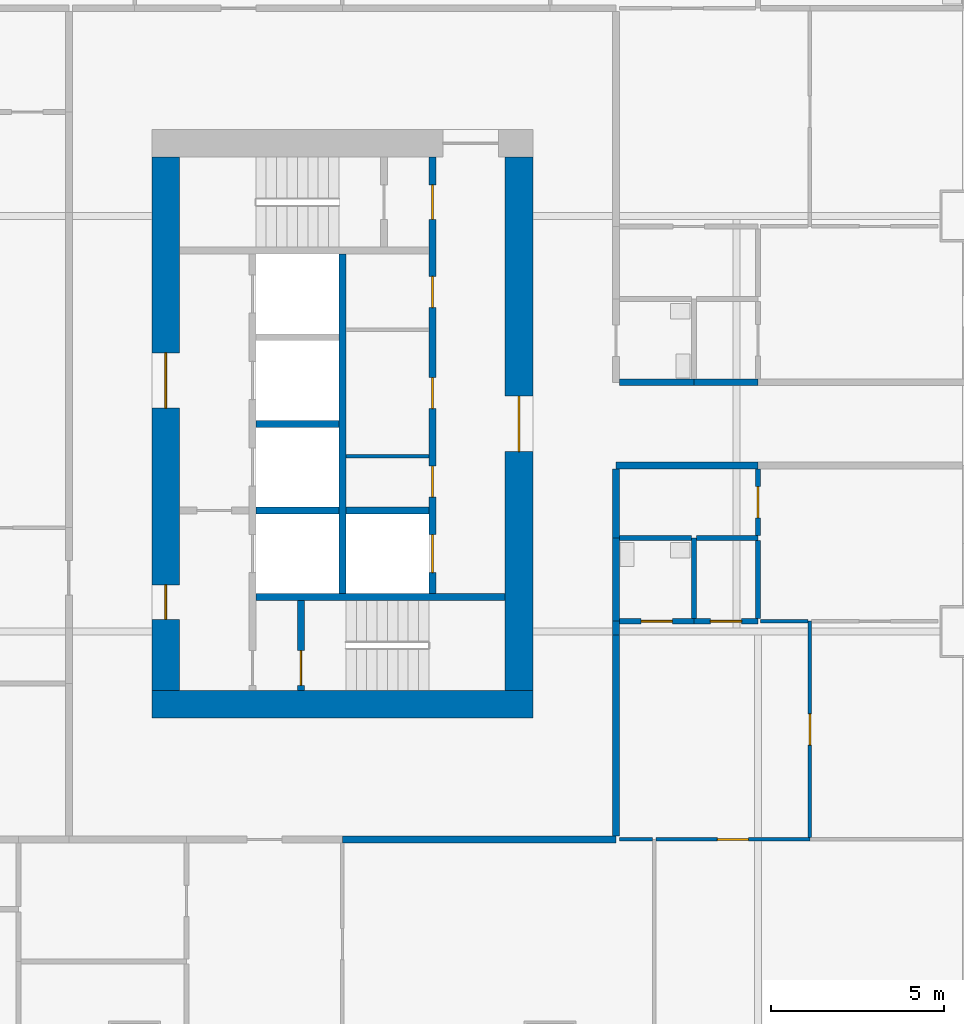
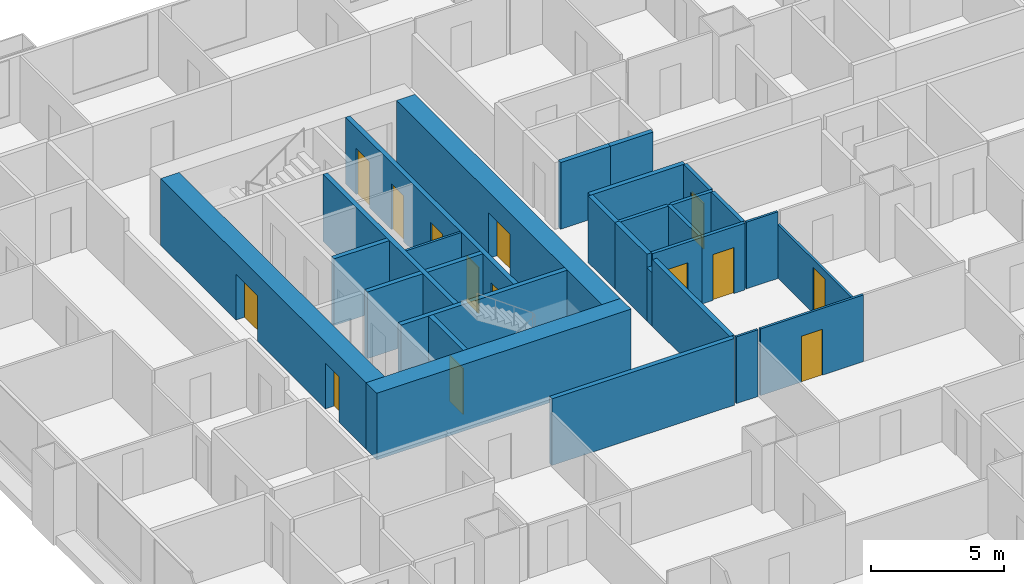
# One storey, part 4 of 14: 30 walls, 14 doors, 14 openings.
"""IFC4 building model written with IfcOpenShell, lengths in metres."""

from ifc_helpers import new_model, si_unit, direction, frame, frame_2d, origin, place, context, subcontext, project, spatial, rectangle, extrude, material, layer, layer_set, type_object, element, fill, save


model = new_model("IFC4")

# Units and contexts
model_context = context("Model", 3, precision=1e-05, world=origin(), true_north=direction((0.0, 1.0)))
body_context = subcontext(model_context, "Body", "Model", "MODEL_VIEW")
ifc_project = project(units=[si_unit("LENGTHUNIT", "METRE"), si_unit("AREAUNIT", "SQUARE_METRE"), si_unit("VOLUMEUNIT", "CUBIC_METRE"), si_unit("PLANEANGLEUNIT", "RADIAN"), si_unit("MASSUNIT", "GRAM", prefix="KILO")], contexts=[model_context])

# Site, building, storey
site_placement = place(None, origin())
site = spatial("IfcSite", under=ifc_project, at=site_placement, CompositionType="ELEMENT")
building_placement = place(site_placement, origin())
building = spatial("IfcBuilding", under=site, at=building_placement, Name="Kitamizu Gate Tower and Museum", CompositionType="ELEMENT")
storey_placement = place(building_placement, frame((0.0, 0.0, 67.949951171875)))
storey = spatial("IfcBuildingStorey", under=building, at=storey_placement, Name="L16", CompositionType="ELEMENT", Elevation=67.949951171875)

# Wall
ifc_material_1 = material(Name="Concrete Fc60", Category="concrete")
ifc_layer_1 = layer(ifc_material_1, 0.800048828125)
ifc_layer_set_1 = layer_set([ifc_layer_1], Name="Concrete Fc60")
wall_type_1 = type_object("IfcWallType", Name="Core wall 800", PredefinedType="SHEAR", material=ifc_layer_set_1)
wall_1_placement = place(storey_placement, frame((12.5, 21.89990234375, 0.0), z_axis=(0.0, 0.0, 1.0), x_axis=(1.0, 0.0, 0.0)))
element("IfcWall", 1, at=wall_1_placement, inside=storey, type_object=wall_type_1, Name="Core wall WS", PredefinedType="SHEAR", context=body_context, shape_type="SweptSolid", body=[
    extrude(rectangle(XDim=11.0, YDim=0.800048828125, at=frame_2d((5.5, 0.0))), origin(), (0.0, 0.0, 1.0), 3.050048828125),
])

# Wall, openings, doors
wall_2_placement = place(storey_placement, frame((12.89990234375, 22.300048828125, 0.0), z_axis=(0.0, 0.0, 1.0), x_axis=(0.0, 1.0, 0.0)))
wall_2 = element("IfcWall", 2, at=wall_2_placement, inside=storey, type_object=wall_type_1, Name="Core wall WOUT", PredefinedType="SHEAR", context=body_context, shape_type="SweptSolid", body=[
    extrude(rectangle(XDim=15.39990234375, YDim=0.800048828125, at=frame_2d((7.699951171875, 0.0))), origin(), (0.0, 0.0, 1.0), 3.050048828125),
])
opening_1_placement = place(wall_2_placement, frame((8.14990234375, 0.0, 0.0)))
opening_1 = element("IfcOpeningElement", 3, at=opening_1_placement, cuts=wall_2, Name="Opening L16-090", PredefinedType="OPENING", context=body_context, shape_type="SweptSolid", body=[
    extrude(rectangle(XDim=1.60009765625, YDim=2.10009765625, at=frame_2d((0.800048828125, 1.050048828125))), frame((0.0, 0.41015625, 0.0), z_axis=(0.0, -1.0, 0.0), x_axis=(1.0, 0.0, 0.0)), (0.0, 0.0, 1.0), 0.820068359375),
])
opening_2_placement = place(wall_2_placement, frame((2.050048828125, 0.0, 0.0)))
opening_2 = element("IfcOpeningElement", 4, at=opening_2_placement, cuts=wall_2, Name="Opening L16-091", PredefinedType="OPENING", context=body_context, shape_type="SweptSolid", body=[
    extrude(rectangle(XDim=1.0, YDim=2.10009765625, at=frame_2d((0.5, 1.050048828125))), frame((0.0, 0.41015625, 0.0), z_axis=(0.0, -1.0, 0.0), x_axis=(1.0, 0.0, 0.0)), (0.0, 0.0, 1.0), 0.820068359375),
])
ifc_material_2 = material(Name="Timber door set", Category="wood")
door_type_1 = type_object("IfcDoorType", Name="Entrance door 1600", OperationType="DOUBLE_DOOR_SINGLE_SWING", PredefinedType="DOOR", material=ifc_material_2)
door_1_placement = place(opening_1_placement, origin())
door_1 = element("IfcDoor", 5, at=door_1_placement, inside=storey, type_object=door_type_1, Name="Lobby door L16-090", OperationType="DOUBLE_DOOR_SINGLE_SWING", OverallHeight=2.10009765625, OverallWidth=1.60009765625, PredefinedType="DOOR", context=body_context, shape_type="SweptSolid", body=[
    extrude(rectangle(XDim=1.60009765625, YDim=2.10009765625, at=frame_2d((0.800048828125, 1.050048828125))), frame((0.0, 0.02490234375, 0.0), z_axis=(0.0, -1.0, 0.0), x_axis=(1.0, 0.0, 0.0)), (0.0, 0.0, 1.0), 0.050048828125),
])
fill(opening_1, door_1)
ifc_material_3 = material(Name="Hollow metal door set")
door_type_2 = type_object("IfcDoorType", Name="Fire door 1000", OperationType="NOTDEFINED", PredefinedType="DOOR", material=ifc_material_3)
door_2_placement = place(opening_2_placement, frame((1.0, 0.0, 0.0), x_axis=(-1.0, 0.0, 0.0)))
door_2 = element("IfcDoor", 6, at=door_2_placement, inside=storey, type_object=door_type_2, Name="Fire-fighting lobby door L16-091", OperationType="SINGLE_SWING_RIGHT", OverallHeight=2.10009765625, OverallWidth=1.0, PredefinedType="DOOR", context=body_context, shape_type="SweptSolid", body=[
    extrude(rectangle(XDim=1.0, YDim=2.10009765625, at=frame_2d((0.5, 1.050048828125))), frame((0.0, 0.02490234375, 0.0), z_axis=(0.0, -1.0, 0.0), x_axis=(1.0, 0.0, 0.0)), (0.0, 0.0, 1.0), 0.050048828125),
])
fill(opening_2, door_2)

# Wall, opening, door
wall_3_placement = place(storey_placement, frame((23.10009765625, 22.300048828125, 0.0), z_axis=(0.0, 0.0, 1.0), x_axis=(0.0, 1.0, 0.0)))
wall_3 = element("IfcWall", 7, at=wall_3_placement, inside=storey, type_object=wall_type_1, Name="Core wall WARC", PredefinedType="SHEAR", context=body_context, shape_type="SweptSolid", body=[
    extrude(rectangle(XDim=15.39990234375, YDim=0.800048828125, at=frame_2d((7.699951171875, 0.0))), origin(), (0.0, 0.0, 1.0), 3.050048828125),
])
opening_3_placement = place(wall_3_placement, frame((6.89990234375, 0.0, 0.0)))
opening_3 = element("IfcOpeningElement", 8, at=opening_3_placement, cuts=wall_3, Name="Opening L16-093", PredefinedType="OPENING", context=body_context, shape_type="SweptSolid", body=[
    extrude(rectangle(XDim=1.60009765625, YDim=2.10009765625, at=frame_2d((0.800048828125, 1.050048828125))), frame((0.0, 0.41015625, 0.0), z_axis=(0.0, -1.0, 0.0), x_axis=(1.0, 0.0, 0.0)), (0.0, 0.0, 1.0), 0.820068359375),
])
door_3_placement = place(opening_3_placement, origin())
door_3 = element("IfcDoor", 9, at=door_3_placement, inside=storey, type_object=door_type_1, Name="Lobby door L16-093", OperationType="DOUBLE_DOOR_SINGLE_SWING", OverallHeight=2.10009765625, OverallWidth=1.60009765625, PredefinedType="DOOR", context=body_context, shape_type="SweptSolid", body=[
    extrude(rectangle(XDim=1.60009765625, YDim=2.10009765625, at=frame_2d((0.800048828125, 1.050048828125))), frame((0.0, 0.02490234375, 0.0), z_axis=(0.0, -1.0, 0.0), x_axis=(1.0, 0.0, 0.0)), (0.0, 0.0, 1.0), 0.050048828125),
])
fill(opening_3, door_3)

# Walls
ifc_material_4 = material(Name="Gypsum board on galvanised stud")
ifc_layer_2 = layer(ifc_material_4, 0.10009765625)
ifc_layer_set_2 = layer_set([ifc_layer_2], Name="Gypsum board on galvanised stud")
wall_type_2 = type_object("IfcWallType", Name="Partition 100", PredefinedType="PARTITIONING", material=ifc_layer_set_2)
wall_4_placement = place(storey_placement, frame((18.10009765625, 29.06005859375, 0.0), z_axis=(0.0, 0.0, 1.0), x_axis=(1.0, 0.0, 0.0)))
element("IfcWall", 10, at=wall_4_placement, inside=storey, type_object=wall_type_2, Name="Partition WPF1", PredefinedType="PARTITIONING", context=body_context, shape_type="SweptSolid", body=[
    extrude(rectangle(XDim=2.39990234375, YDim=0.10009765625, at=frame_2d((1.199951171875, 0.0))), origin(), (0.0, 0.0, 1.0), 3.050048828125),
])
ifc_material_5 = material(Name="Gypsum board on galvanised stud")
ifc_layer_3 = layer(ifc_material_5, 0.10009765625)
ifc_layer_set_3 = layer_set([ifc_layer_3], Name="Gypsum board on galvanised stud")
wall_type_3 = type_object("IfcWallType", Name="Partition 100 NOT RATED", PredefinedType="PARTITIONING", material=ifc_layer_set_3)
wall_5_placement = place(storey_placement, frame((26.949951171875, 18.0, 0.0), z_axis=(0.0, 0.0, 1.0), x_axis=(-1.0, 0.0, 0.0)))
element("IfcWall", 11, at=wall_5_placement, inside=storey, type_object=wall_type_3, Name="Partition L16-047", PredefinedType="PARTITIONING", context=body_context, shape_type="SweptSolid", body=[
    extrude(rectangle(XDim=0.949951171875, YDim=0.10009765625, at=frame_2d((0.47509765625, 0.0))), origin(), (0.0, 0.0, 1.0), 3.050048828125),
])

# Wall, opening, door
wall_6_placement = place(storey_placement, frame((31.5, 18.0, 0.0), z_axis=(0.0, 0.0, 1.0), x_axis=(-1.0, 0.0, 0.0)))
wall_6 = element("IfcWall", 12, at=wall_6_placement, inside=storey, type_object=wall_type_3, Name="Partition L16-049", PredefinedType="PARTITIONING", context=body_context, shape_type="SweptSolid", body=[
    extrude(rectangle(XDim=4.449951171875, YDim=0.10009765625, at=frame_2d((2.22509765625, 0.0))), origin(), (0.0, 0.0, 1.0), 3.050048828125),
])
opening_4_placement = place(wall_6_placement, frame((1.77490234375, 0.0, 0.0)))
opening_4 = element("IfcOpeningElement", 13, at=opening_4_placement, cuts=wall_6, Name="Opening L16-019", PredefinedType="OPENING", context=body_context, shape_type="SweptSolid", body=[
    extrude(rectangle(XDim=0.89990234375, YDim=2.10009765625, at=frame_2d((0.449951171875, 1.050048828125))), frame((0.0, 0.06005859375, 0.0), z_axis=(0.0, -1.0, 0.0), x_axis=(1.0, 0.0, 0.0)), (0.0, 0.0, 1.0), 0.1201171875),
])
ifc_material_6 = material(Name="Timber door set", Category="wood")
door_type_3 = type_object("IfcDoorType", Name="Room door 900", OperationType="NOTDEFINED", PredefinedType="DOOR", material=ifc_material_6)
door_4_placement = place(opening_4_placement, frame((0.89990234375, 0.0, 0.0), x_axis=(-1.0, 0.0, 0.0)))
door_4 = element("IfcDoor", 14, at=door_4_placement, inside=storey, type_object=door_type_3, Name="Door L16-019", OperationType="SINGLE_SWING_RIGHT", OverallHeight=2.10009765625, OverallWidth=0.89990234375, PredefinedType="DOOR", context=body_context, shape_type="SweptSolid", body=[
    extrude(rectangle(XDim=0.89990234375, YDim=2.10009765625, at=frame_2d((0.449951171875, 1.050048828125))), frame((0.0, 0.02490234375, 0.0), z_axis=(0.0, -1.0, 0.0), x_axis=(1.0, 0.0, 0.0)), (0.0, 0.0, 1.0), 0.050048828125),
])
fill(opening_4, door_4)

wall_7_placement = place(storey_placement, frame((31.5, 18.050048828125, 0.0), z_axis=(0.0, 0.0, 1.0), x_axis=(0.0, 1.0, 0.0)))
wall_7 = element("IfcWall", 15, at=wall_7_placement, inside=storey, type_object=wall_type_3, Name="Partition L16-052", PredefinedType="PARTITIONING", context=body_context, shape_type="SweptSolid", body=[
    extrude(rectangle(XDim=6.25, YDim=0.10009765625, at=frame_2d((3.125, 0.0))), origin(), (0.0, 0.0, 1.0), 2.449951171875),
])
opening_5_placement = place(wall_7_placement, frame((2.675048828125, 0.0, 0.0)))
opening_5 = element("IfcOpeningElement", 16, at=opening_5_placement, cuts=wall_7, Name="Opening L16-020", PredefinedType="OPENING", context=body_context, shape_type="SweptSolid", body=[
    extrude(rectangle(XDim=0.89990234375, YDim=2.10009765625, at=frame_2d((0.449951171875, 1.050048828125))), frame((0.0, 0.06005859375, 0.0), z_axis=(0.0, -1.0, 0.0), x_axis=(1.0, 0.0, 0.0)), (0.0, 0.0, 1.0), 0.1201171875),
])
door_5_placement = place(opening_5_placement, frame((0.89990234375, 0.0, 0.0), x_axis=(-1.0, 0.0, 0.0)))
door_5 = element("IfcDoor", 17, at=door_5_placement, inside=storey, type_object=door_type_3, Name="Door L16-020", OperationType="SINGLE_SWING_LEFT", OverallHeight=2.10009765625, OverallWidth=0.89990234375, PredefinedType="DOOR", context=body_context, shape_type="SweptSolid", body=[
    extrude(rectangle(XDim=0.89990234375, YDim=2.10009765625, at=frame_2d((0.449951171875, 1.050048828125))), frame((0.0, 0.02490234375, 0.0), z_axis=(0.0, -1.0, 0.0), x_axis=(1.0, 0.0, 0.0)), (0.0, 0.0, 1.0), 0.050048828125),
])
fill(opening_5, door_5)

# Wall
wall_8_placement = place(storey_placement, frame((31.449951171875, 24.300048828125, 0.0), z_axis=(0.0, 0.0, 1.0), x_axis=(-1.0, 0.0, 0.0)))
element("IfcWall", 18, at=wall_8_placement, inside=storey, type_object=wall_type_3, Name="Partition L16-055", PredefinedType="PARTITIONING", context=body_context, shape_type="SweptSolid", body=[
    extrude(rectangle(XDim=1.375, YDim=0.10009765625, at=frame_2d((0.6875, 0.0))), origin(), (0.0, 0.0, 1.0), 3.050048828125),
])

# Wall, opening, door
ifc_material_7 = material(Name="Gypsum board on galvanised stud")
ifc_layer_4 = layer(ifc_material_7, 0.14990234375)
ifc_layer_set_4 = layer_set([ifc_layer_4], Name="Gypsum board on galvanised stud")
wall_type_4 = type_object("IfcWallType", Name="Partition 150", PredefinedType="PARTITIONING", material=ifc_layer_set_4)
wall_9_placement = place(storey_placement, frame((28.14990234375, 24.300048828125, 0.0), z_axis=(0.0, 0.0, 1.0), x_axis=(-1.0, 0.0, 0.0)))
wall_9 = element("IfcWall", 19, at=wall_9_placement, inside=storey, type_object=wall_type_4, Name="Partition L16-053", PredefinedType="PARTITIONING", context=body_context, shape_type="SweptSolid", body=[
    extrude(rectangle(XDim=2.14990234375, YDim=0.14990234375, at=frame_2d((1.074951171875, 0.0))), origin(), (0.0, 0.0, 1.0), 3.050048828125),
])
opening_6_placement = place(wall_9_placement, frame((0.625, 0.0, 0.0)))
opening_6 = element("IfcOpeningElement", 20, at=opening_6_placement, cuts=wall_9, Name="Opening L16-021", PredefinedType="OPENING", context=body_context, shape_type="SweptSolid", body=[
    extrude(rectangle(XDim=0.89990234375, YDim=2.10009765625, at=frame_2d((0.449951171875, 1.050048828125))), frame((0.0, 0.0849609375, 0.0), z_axis=(0.0, -1.0, 0.0), x_axis=(1.0, 0.0, 0.0)), (0.0, 0.0, 1.0), 0.169921875),
])
ifc_material_8 = material(Name="Timber door set", Category="wood")
door_type_4 = type_object("IfcDoorType", Name="Bathroom door 900", OperationType="NOTDEFINED", PredefinedType="DOOR", material=ifc_material_8)
door_6_placement = place(opening_6_placement, frame((0.89990234375, 0.0, 0.0), x_axis=(-1.0, 0.0, 0.0)))
door_6 = element("IfcDoor", 21, at=door_6_placement, inside=storey, type_object=door_type_4, Name="Bathroom door L16-021", OperationType="SINGLE_SWING_RIGHT", OverallHeight=2.10009765625, OverallWidth=0.89990234375, PredefinedType="DOOR", context=body_context, shape_type="SweptSolid", body=[
    extrude(rectangle(XDim=0.89990234375, YDim=2.10009765625, at=frame_2d((0.449951171875, 1.050048828125))), frame((0.0, 0.02490234375, 0.0), z_axis=(0.0, -1.0, 0.0), x_axis=(1.0, 0.0, 0.0)), (0.0, 0.0, 1.0), 0.050048828125),
])
fill(opening_6, door_6)

wall_10_placement = place(storey_placement, frame((30.0, 24.300048828125, 0.0), z_axis=(0.0, 0.0, 1.0), x_axis=(-1.0, 0.0, 0.0)))
wall_10 = element("IfcWall", 22, at=wall_10_placement, inside=storey, type_object=wall_type_4, Name="Partition L16-054", PredefinedType="PARTITIONING", context=body_context, shape_type="SweptSolid", body=[
    extrude(rectangle(XDim=1.85009765625, YDim=0.14990234375, at=frame_2d((0.925048828125, 0.0))), origin(), (0.0, 0.0, 1.0), 3.050048828125),
])
opening_7_placement = place(wall_10_placement, frame((0.47509765625, 0.0, 0.0)))
opening_7 = element("IfcOpeningElement", 23, at=opening_7_placement, cuts=wall_10, Name="Opening L16-022", PredefinedType="OPENING", context=body_context, shape_type="SweptSolid", body=[
    extrude(rectangle(XDim=0.89990234375, YDim=2.10009765625, at=frame_2d((0.449951171875, 1.050048828125))), frame((0.0, 0.0849609375, 0.0), z_axis=(0.0, -1.0, 0.0), x_axis=(1.0, 0.0, 0.0)), (0.0, 0.0, 1.0), 0.169921875),
])
door_7_placement = place(opening_7_placement, frame((0.89990234375, 0.0, 0.0), x_axis=(-1.0, 0.0, 0.0)))
door_7 = element("IfcDoor", 24, at=door_7_placement, inside=storey, type_object=door_type_4, Name="Bathroom door L16-022", OperationType="SINGLE_SWING_LEFT", OverallHeight=2.10009765625, OverallWidth=0.89990234375, PredefinedType="DOOR", context=body_context, shape_type="SweptSolid", body=[
    extrude(rectangle(XDim=0.89990234375, YDim=2.10009765625, at=frame_2d((0.449951171875, 1.050048828125))), frame((0.0, 0.02490234375, 0.0), z_axis=(0.0, -1.0, 0.0), x_axis=(1.0, 0.0, 0.0)), (0.0, 0.0, 1.0), 0.050048828125),
])
fill(opening_7, door_7)

# Walls
wall_11_placement = place(storey_placement, frame((28.14990234375, 24.375, 0.0), z_axis=(0.0, 0.0, 1.0), x_axis=(0.0, 1.0, 0.0)))
element("IfcWall", 25, at=wall_11_placement, inside=storey, type_object=wall_type_4, Name="Partition L16-060", PredefinedType="PARTITIONING", context=body_context, shape_type="SweptSolid", body=[
    extrude(rectangle(XDim=2.324951171875, YDim=0.14990234375, at=frame_2d((1.16259765625, 0.0))), origin(), (0.0, 0.0, 1.0), 3.050048828125),
])
wall_12_placement = place(storey_placement, frame((28.074951171875, 26.699951171875, 0.0), z_axis=(0.0, 0.0, 1.0), x_axis=(-1.0, 0.0, 0.0)))
element("IfcWall", 26, at=wall_12_placement, inside=storey, type_object=wall_type_4, Name="Partition L16-061", PredefinedType="PARTITIONING", context=body_context, shape_type="SweptSolid", body=[
    extrude(rectangle(XDim=2.074951171875, YDim=0.14990234375, at=frame_2d((1.03759765625, 0.0))), origin(), (0.0, 0.0, 1.0), 3.050048828125),
])
wall_13_placement = place(storey_placement, frame((30.0, 26.699951171875, 0.0), z_axis=(0.0, 0.0, 1.0), x_axis=(-1.0, 0.0, 0.0)))
element("IfcWall", 27, at=wall_13_placement, inside=storey, type_object=wall_type_4, Name="Partition L16-063", PredefinedType="PARTITIONING", context=body_context, shape_type="SweptSolid", body=[
    extrude(rectangle(XDim=1.77490234375, YDim=0.14990234375, at=frame_2d((0.887451171875, 0.0))), origin(), (0.0, 0.0, 1.0), 3.050048828125),
])
wall_14_placement = place(storey_placement, frame((30.0, 24.375, 0.0), z_axis=(0.0, 0.0, 1.0), x_axis=(0.0, 1.0, 0.0)))
element("IfcWall", 28, at=wall_14_placement, inside=storey, type_object=wall_type_4, Name="Partition L16-064", PredefinedType="PARTITIONING", context=body_context, shape_type="SweptSolid", body=[
    extrude(rectangle(XDim=2.25, YDim=0.14990234375, at=frame_2d((1.125, 0.0))), origin(), (0.0, 0.0, 1.0), 3.050048828125),
])

# Wall, opening, door
wall_15_placement = place(storey_placement, frame((30.0, 26.77490234375, 0.0), z_axis=(0.0, 0.0, 1.0), x_axis=(0.0, 1.0, 0.0)))
wall_15 = element("IfcWall", 29, at=wall_15_placement, inside=storey, type_object=wall_type_4, Name="Partition L16-065", PredefinedType="PARTITIONING", context=body_context, shape_type="SweptSolid", body=[
    extrude(rectangle(XDim=1.925048828125, YDim=0.14990234375, at=frame_2d((0.96240234375, 0.0))), origin(), (0.0, 0.0, 1.0), 3.050048828125),
])
opening_8_placement = place(wall_15_placement, frame((0.512451171875, 0.0, 0.0)))
opening_8 = element("IfcOpeningElement", 30, at=opening_8_placement, cuts=wall_15, Name="Opening L16-024", PredefinedType="OPENING", context=body_context, shape_type="SweptSolid", body=[
    extrude(rectangle(XDim=0.89990234375, YDim=2.10009765625, at=frame_2d((0.449951171875, 1.050048828125))), frame((0.0, 0.0849609375, 0.0), z_axis=(0.0, -1.0, 0.0), x_axis=(1.0, 0.0, 0.0)), (0.0, 0.0, 1.0), 0.169921875),
])
door_8_placement = place(opening_8_placement, origin())
door_8 = element("IfcDoor", 31, at=door_8_placement, inside=storey, type_object=door_type_4, Name="Bathroom door L16-024", OperationType="SINGLE_SWING_LEFT", OverallHeight=2.10009765625, OverallWidth=0.89990234375, PredefinedType="DOOR", context=body_context, shape_type="SweptSolid", body=[
    extrude(rectangle(XDim=0.89990234375, YDim=2.10009765625, at=frame_2d((0.449951171875, 1.050048828125))), frame((0.0, 0.02490234375, 0.0), z_axis=(0.0, -1.0, 0.0), x_axis=(1.0, 0.0, 0.0)), (0.0, 0.0, 1.0), 0.050048828125),
])
fill(opening_8, door_8)

# Walls
ifc_material_9 = material(Name="Gypsum board on galvanised stud")
ifc_layer_5 = layer(ifc_material_9, 0.199951171875)
ifc_layer_set_5 = layer_set([ifc_layer_5], Name="Gypsum board on galvanised stud")
wall_type_5 = type_object("IfcWallType", Name="Partition 200", PredefinedType="PARTITIONING", material=ifc_layer_set_5)
wall_16_placement = place(storey_placement, frame((25.89990234375, 18.0, 0.0), z_axis=(0.0, 0.0, 1.0), x_axis=(-1.0, 0.0, 0.0)))
element("IfcWall", 32, at=wall_16_placement, inside=storey, type_object=wall_type_5, Name="Partition L16-048", PredefinedType="PARTITIONING", context=body_context, shape_type="SweptSolid", body=[
    extrude(rectangle(XDim=7.89990234375, YDim=0.199951171875, at=frame_2d((3.949951171875, 0.0))), origin(), (0.0, 0.0, 1.0), 3.050048828125),
])
wall_17_placement = place(storey_placement, frame((25.89990234375, 24.300048828125, 0.0), z_axis=(0.0, 0.0, 1.0), x_axis=(0.0, -1.0, 0.0)))
element("IfcWall", 33, at=wall_17_placement, inside=storey, type_object=wall_type_5, Name="Partition L16-056", PredefinedType="PARTITIONING", context=body_context, shape_type="SweptSolid", body=[
    extrude(rectangle(XDim=0.400146484375, YDim=0.199951171875, at=frame_2d((0.2001953125, 0.0))), origin(), (0.0, 0.0, 1.0), 2.449951171875),
])
wall_18_placement = place(storey_placement, frame((25.89990234375, 23.89990234375, 0.0), z_axis=(0.0, 0.0, 1.0), x_axis=(0.0, -1.0, 0.0)))
element("IfcWall", 34, at=wall_18_placement, inside=storey, type_object=wall_type_5, Name="Partition L16-057", PredefinedType="PARTITIONING", context=body_context, shape_type="SweptSolid", body=[
    extrude(rectangle(XDim=5.7998046875, YDim=0.199951171875, at=frame_2d((2.89990234375, 0.0))), origin(), (0.0, 0.0, 1.0), 3.050048828125),
])
wall_19_placement = place(storey_placement, frame((25.89990234375, 26.699951171875, 0.0), z_axis=(0.0, 0.0, 1.0), x_axis=(0.0, -1.0, 0.0)))
element("IfcWall", 35, at=wall_19_placement, inside=storey, type_object=wall_type_5, Name="Partition L16-062", PredefinedType="PARTITIONING", context=body_context, shape_type="SweptSolid", body=[
    extrude(rectangle(XDim=2.39990234375, YDim=0.199951171875, at=frame_2d((1.199951171875, 0.0))), origin(), (0.0, 0.0, 1.0), 3.050048828125),
])
wall_20_placement = place(storey_placement, frame((30.0, 28.800048828125, 0.0), z_axis=(0.0, 0.0, 1.0), x_axis=(-1.0, 0.0, 0.0)))
element("IfcWall", 36, at=wall_20_placement, inside=storey, type_object=wall_type_5, Name="Partition L16-066", PredefinedType="PARTITIONING", context=body_context, shape_type="SweptSolid", body=[
    extrude(rectangle(XDim=4.10009765625, YDim=0.199951171875, at=frame_2d((2.050048828125, 0.0))), origin(), (0.0, 0.0, 1.0), 3.050048828125),
])
wall_21_placement = place(storey_placement, frame((25.89990234375, 28.699951171875, 0.0), z_axis=(0.0, 0.0, 1.0), x_axis=(0.0, -1.0, 0.0)))
element("IfcWall", 37, at=wall_21_placement, inside=storey, type_object=wall_type_5, Name="Partition L16-067", PredefinedType="PARTITIONING", context=body_context, shape_type="SweptSolid", body=[
    extrude(rectangle(XDim=2.0, YDim=0.199951171875, at=frame_2d((1.0, 0.0))), origin(), (0.0, 0.0, 1.0), 3.050048828125),
])
wall_22_placement = place(storey_placement, frame((26.0, 31.199951171875, 0.0), z_axis=(0.0, 0.0, 1.0), x_axis=(1.0, 0.0, 0.0)))
element("IfcWall", 38, at=wall_22_placement, inside=storey, type_object=wall_type_5, Name="Partition L16-186", PredefinedType="PARTITIONING", context=body_context, shape_type="SweptSolid", body=[
    extrude(rectangle(XDim=2.14990234375, YDim=0.199951171875, at=frame_2d((1.074951171875, 0.0))), origin(), (0.0, 0.0, 1.0), 3.050048828125),
])
wall_23_placement = place(storey_placement, frame((28.14990234375, 31.199951171875, 0.0), z_axis=(0.0, 0.0, 1.0), x_axis=(1.0, 0.0, 0.0)))
element("IfcWall", 39, at=wall_23_placement, inside=storey, type_object=wall_type_5, Name="Partition L16-189", PredefinedType="PARTITIONING", context=body_context, shape_type="SweptSolid", body=[
    extrude(rectangle(XDim=1.85009765625, YDim=0.199951171875, at=frame_2d((0.925048828125, 0.0))), origin(), (0.0, 0.0, 1.0), 3.050048828125),
])

# Wall, openings, doors
ifc_material_10 = material(Name="Concrete Fc42", Category="concrete")
ifc_layer_6 = layer(ifc_material_10, 0.199951171875)
ifc_layer_set_6 = layer_set([ifc_layer_6], Name="Concrete Fc42")
wall_type_6 = type_object("IfcWallType", Name="Shaft wall 200", PredefinedType="SOLIDWALL", material=ifc_layer_set_6)
wall_24_placement = place(storey_placement, frame((20.60009765625, 25.10009765625, 0.0), z_axis=(0.0, 0.0, 1.0), x_axis=(0.0, 1.0, 0.0)))
wall_24 = element("IfcWall", 40, at=wall_24_placement, inside=storey, type_object=wall_type_6, Name="Shaft wall WEAST", PredefinedType="SOLIDWALL", context=body_context, shape_type="SweptSolid", body=[
    extrude(rectangle(XDim=12.599853515625, YDim=0.199951171875, at=frame_2d((6.2998046875, 0.0))), origin(), (0.0, 0.0, 1.0), 3.050048828125),
])
opening_9_placement = place(wall_24_placement, frame((0.60009765625, 0.0, 0.0)))
opening_9 = element("IfcOpeningElement", 41, at=opening_9_placement, cuts=wall_24, Name="Opening LD", PredefinedType="OPENING", context=body_context, shape_type="SweptSolid", body=[
    extrude(rectangle(XDim=1.10009765625, YDim=2.10009765625, at=frame_2d((0.550048828125, 1.050048828125))), frame((0.0, 0.10986328125, 0.0), z_axis=(0.0, -1.0, 0.0), x_axis=(1.0, 0.0, 0.0)), (0.0, 0.0, 1.0), 0.219970703125),
])
opening_10_placement = place(wall_24_placement, frame((10.800048828125, 0.0, 0.0)))
opening_10 = element("IfcOpeningElement", 42, at=opening_10_placement, cuts=wall_24, Name="Opening L16-087", PredefinedType="OPENING", context=body_context, shape_type="SweptSolid", body=[
    extrude(rectangle(XDim=1.0, YDim=2.10009765625, at=frame_2d((0.5, 1.050048828125))), frame((0.0, 0.10986328125, 0.0), z_axis=(0.0, -1.0, 0.0), x_axis=(1.0, 0.0, 0.0)), (0.0, 0.0, 1.0), 0.219970703125),
])
opening_11_placement = place(wall_24_placement, frame((2.780029296875, 0.0, 0.0)))
opening_11 = element("IfcOpeningElement", 43, at=opening_11_placement, cuts=wall_24, Name="Opening L16-094", PredefinedType="OPENING", context=body_context, shape_type="SweptSolid", body=[
    extrude(rectangle(XDim=0.89990234375, YDim=2.10009765625, at=frame_2d((0.449951171875, 1.050048828125))), frame((0.0, 0.10986328125, 0.0), z_axis=(0.0, -1.0, 0.0), x_axis=(1.0, 0.0, 0.0)), (0.0, 0.0, 1.0), 0.219970703125),
])
opening_12_placement = place(wall_24_placement, frame((5.3349609375, 0.0, 0.0)))
opening_12 = element("IfcOpeningElement", 44, at=opening_12_placement, cuts=wall_24, Name="Opening L16-095", PredefinedType="OPENING", context=body_context, shape_type="SweptSolid", body=[
    extrude(rectangle(XDim=0.89990234375, YDim=2.10009765625, at=frame_2d((0.449951171875, 1.050048828125))), frame((0.0, 0.10986328125, 0.0), z_axis=(0.0, -1.0, 0.0), x_axis=(1.0, 0.0, 0.0)), (0.0, 0.0, 1.0), 0.219970703125),
])
opening_13_placement = place(wall_24_placement, frame((8.2548828125, 0.0, 0.0)))
opening_13 = element("IfcOpeningElement", 45, at=opening_13_placement, cuts=wall_24, Name="Opening L16-096", PredefinedType="OPENING", context=body_context, shape_type="SweptSolid", body=[
    extrude(rectangle(XDim=0.89990234375, YDim=2.10009765625, at=frame_2d((0.449951171875, 1.050048828125))), frame((0.0, 0.10986328125, 0.0), z_axis=(0.0, -1.0, 0.0), x_axis=(1.0, 0.0, 0.0)), (0.0, 0.0, 1.0), 0.219970703125),
])
door_9_placement = place(opening_10_placement, origin())
door_9 = element("IfcDoor", 46, at=door_9_placement, inside=storey, type_object=door_type_2, Name="Stair lobby door L16-087", OperationType="SINGLE_SWING_RIGHT", OverallHeight=2.10009765625, OverallWidth=1.0, PredefinedType="DOOR", context=body_context, shape_type="SweptSolid", body=[
    extrude(rectangle(XDim=1.0, YDim=2.10009765625, at=frame_2d((0.5, 1.050048828125))), frame((0.0, 0.02490234375, 0.0), z_axis=(0.0, -1.0, 0.0), x_axis=(1.0, 0.0, 0.0)), (0.0, 0.0, 1.0), 0.050048828125),
])
fill(opening_10, door_9)
ifc_material_11 = material(Name="Hollow metal door set")
door_type_5 = type_object("IfcDoorType", Name="Landing door 1100", OperationType="SLIDING_TO_LEFT", PredefinedType="DOOR", material=ifc_material_11)
door_10_placement = place(opening_9_placement, origin())
door_10 = element("IfcDoor", 47, at=door_10_placement, inside=storey, type_object=door_type_5, Name="Landing door WSV1", OperationType="SLIDING_TO_LEFT", OverallHeight=2.10009765625, OverallWidth=1.10009765625, PredefinedType="DOOR", context=body_context, shape_type="SweptSolid", body=[
    extrude(rectangle(XDim=1.10009765625, YDim=2.10009765625, at=frame_2d((0.550048828125, 1.050048828125))), frame((0.0, 0.02490234375, 0.0), z_axis=(0.0, -1.0, 0.0), x_axis=(1.0, 0.0, 0.0)), (0.0, 0.0, 1.0), 0.050048828125),
])
fill(opening_9, door_10)
ifc_material_12 = material(Name="Timber door set", Category="wood")
door_type_6 = type_object("IfcDoorType", Name="Service door 900", OperationType="NOTDEFINED", PredefinedType="DOOR", material=ifc_material_12)
door_11_placement = place(opening_11_placement, origin())
door_11 = element("IfcDoor", 48, at=door_11_placement, inside=storey, type_object=door_type_6, Name="Service door L16-094", OperationType="SINGLE_SWING_RIGHT", OverallHeight=2.10009765625, OverallWidth=0.89990234375, PredefinedType="DOOR", context=body_context, shape_type="SweptSolid", body=[
    extrude(rectangle(XDim=0.89990234375, YDim=2.10009765625, at=frame_2d((0.449951171875, 1.050048828125))), frame((0.0, 0.02490234375, 0.0), z_axis=(0.0, -1.0, 0.0), x_axis=(1.0, 0.0, 0.0)), (0.0, 0.0, 1.0), 0.050048828125),
])
fill(opening_11, door_11)
door_12_placement = place(opening_12_placement, origin())
door_12 = element("IfcDoor", 49, at=door_12_placement, inside=storey, type_object=door_type_6, Name="Service door L16-095", OperationType="SINGLE_SWING_LEFT", OverallHeight=2.10009765625, OverallWidth=0.89990234375, PredefinedType="DOOR", context=body_context, shape_type="SweptSolid", body=[
    extrude(rectangle(XDim=0.89990234375, YDim=2.10009765625, at=frame_2d((0.449951171875, 1.050048828125))), frame((0.0, 0.02490234375, 0.0), z_axis=(0.0, -1.0, 0.0), x_axis=(1.0, 0.0, 0.0)), (0.0, 0.0, 1.0), 0.050048828125),
])
fill(opening_12, door_12)
door_13_placement = place(opening_13_placement, origin())
door_13 = element("IfcDoor", 50, at=door_13_placement, inside=storey, type_object=door_type_6, Name="Service door L16-096", OperationType="SINGLE_SWING_RIGHT", OverallHeight=2.10009765625, OverallWidth=0.89990234375, PredefinedType="DOOR", context=body_context, shape_type="SweptSolid", body=[
    extrude(rectangle(XDim=0.89990234375, YDim=2.10009765625, at=frame_2d((0.449951171875, 1.050048828125))), frame((0.0, 0.02490234375, 0.0), z_axis=(0.0, -1.0, 0.0), x_axis=(1.0, 0.0, 0.0)), (0.0, 0.0, 1.0), 0.050048828125),
])
fill(opening_13, door_13)

# Walls
wall_25_placement = place(storey_placement, frame((18.0, 25.10009765625, 0.0), z_axis=(0.0, 0.0, 1.0), x_axis=(0.0, 1.0, 0.0)))
element("IfcWall", 51, at=wall_25_placement, inside=storey, type_object=wall_type_6, Name="Shaft wall WMID", PredefinedType="SOLIDWALL", context=body_context, shape_type="SweptSolid", body=[
    extrude(rectangle(XDim=9.7998046875, YDim=0.199951171875, at=frame_2d((4.89990234375, 0.0))), origin(), (0.0, 0.0, 1.0), 3.050048828125),
])
wall_26_placement = place(storey_placement, frame((15.5, 25.0, 0.0), z_axis=(0.0, 0.0, 1.0), x_axis=(1.0, 0.0, 0.0)))
element("IfcWall", 52, at=wall_26_placement, inside=storey, type_object=wall_type_6, Name="Shaft wall WSB", PredefinedType="SOLIDWALL", context=body_context, shape_type="SweptSolid", body=[
    extrude(rectangle(XDim=7.199951171875, YDim=0.199951171875, at=frame_2d((3.60009765625, 0.0))), origin(), (0.0, 0.0, 1.0), 3.050048828125),
])

# Wall, opening, door
wall_27_placement = place(storey_placement, frame((16.800048828125, 22.300048828125, 0.0), z_axis=(0.0, 0.0, 1.0), x_axis=(0.0, 1.0, 0.0)))
wall_27 = element("IfcWall", 53, at=wall_27_placement, inside=storey, type_object=wall_type_6, Name="Shaft wall WSZ", PredefinedType="SOLIDWALL", context=body_context, shape_type="SweptSolid", body=[
    extrude(rectangle(XDim=2.599853515625, YDim=0.199951171875, at=frame_2d((1.2998046875, 0.0))), origin(), (0.0, 0.0, 1.0), 3.050048828125),
])
opening_14_placement = place(wall_27_placement, frame((0.14990234375, 0.0, 0.0)))
opening_14 = element("IfcOpeningElement", 54, at=opening_14_placement, cuts=wall_27, Name="Opening L16-085", PredefinedType="OPENING", context=body_context, shape_type="SweptSolid", body=[
    extrude(rectangle(XDim=1.0, YDim=2.10009765625, at=frame_2d((0.5, 1.050048828125))), frame((0.0, 0.10986328125, 0.0), z_axis=(0.0, -1.0, 0.0), x_axis=(1.0, 0.0, 0.0)), (0.0, 0.0, 1.0), 0.219970703125),
])
door_14_placement = place(opening_14_placement, frame((1.0, 0.0, 0.0), x_axis=(-1.0, 0.0, 0.0)))
door_14 = element("IfcDoor", 55, at=door_14_placement, inside=storey, type_object=door_type_2, Name="Stair door L16-085", OperationType="SINGLE_SWING_LEFT", OverallHeight=2.10009765625, OverallWidth=1.0, PredefinedType="DOOR", context=body_context, shape_type="SweptSolid", body=[
    extrude(rectangle(XDim=1.0, YDim=2.10009765625, at=frame_2d((0.5, 1.050048828125))), frame((0.0, 0.02490234375, 0.0), z_axis=(0.0, -1.0, 0.0), x_axis=(1.0, 0.0, 0.0)), (0.0, 0.0, 1.0), 0.050048828125),
])
fill(opening_14, door_14)

# Walls
for number, where, z_axis, x_axis, name in (
    (56, (15.5, 27.5, 0.0), (0.0, 0.0, 1.0), (1.0, 0.0, 0.0), "Shaft wall WDVW0"),
    (57, (15.5, 30.0, 0.0), (0.0, 0.0, 1.0), (1.0, 0.0, 0.0), "Shaft wall WDVW1"),
    (58, (18.10009765625, 27.5, 0.0), (0.0, 0.0, 1.0), (1.0, 0.0, 0.0), "Shaft wall WDVE0"),
):
    element("IfcWall", number, at=place(storey_placement, frame(where, z_axis=z_axis, x_axis=x_axis)), inside=storey, type_object=wall_type_6, Name=name, PredefinedType="SOLIDWALL", context=body_context, shape_type="SweptSolid", body=[
        extrude(rectangle(XDim=2.39990234375, YDim=0.199951171875, at=frame_2d((1.199951171875, 0.0))), origin(), (0.0, 0.0, 1.0), 3.050048828125),
    ])

save(model, "model.ifc")
